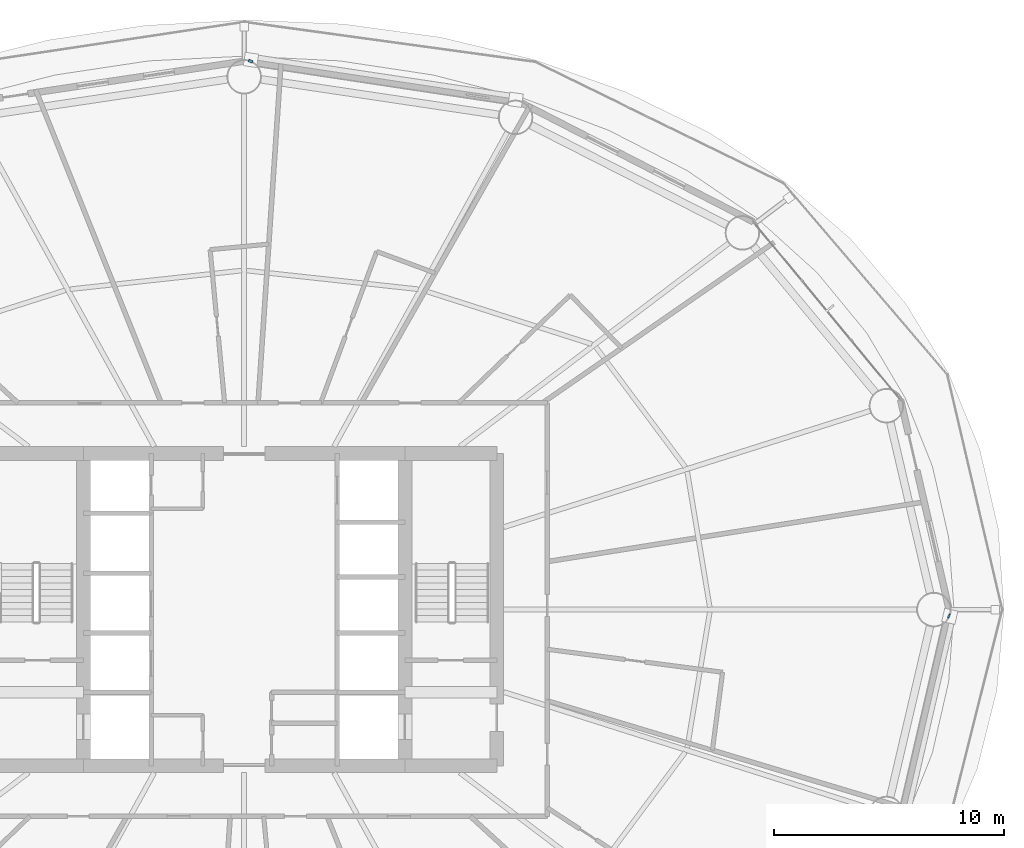
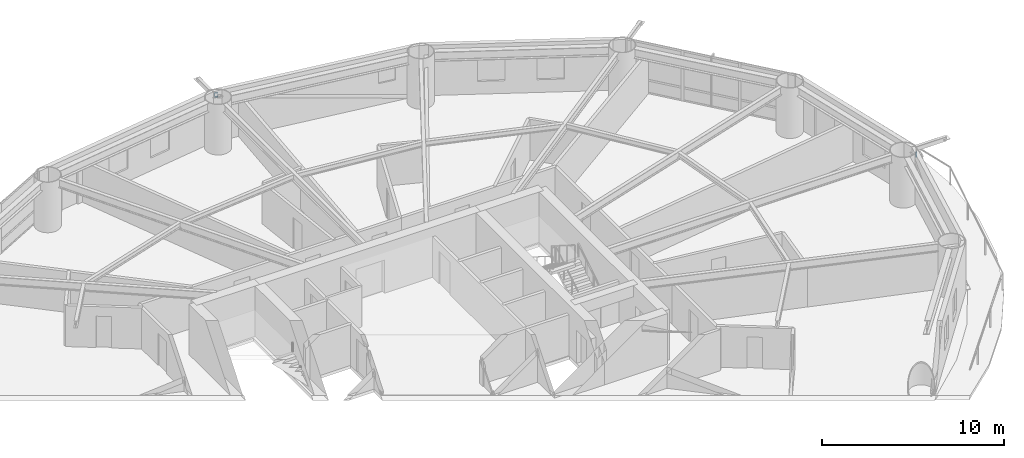
# One storey, part 17 of 28: 2 members.
"""IFC4 building model written with IfcOpenShell, lengths in metres."""

from ifc_helpers import new_model, si_unit, direction, frame, origin, origin_2d, place, context, subcontext, project, spatial, hollow_rectangle, extrude, material, material_profile, profile_set, type_object, element, save


model = new_model("IFC4")

# Units and contexts
model_context = context("Model", 3, precision=1e-05, world=origin(), true_north=direction((0.0, 1.0)))
body_context = subcontext(model_context, "Body", "Model", "MODEL_VIEW")
ifc_project = project(units=[si_unit("LENGTHUNIT", "METRE"), si_unit("AREAUNIT", "SQUARE_METRE"), si_unit("VOLUMEUNIT", "CUBIC_METRE"), si_unit("PLANEANGLEUNIT", "RADIAN"), si_unit("MASSUNIT", "GRAM", prefix="KILO")], contexts=[model_context])

# Site, building, storey
site_placement = place(None, origin())
site = spatial("IfcSite", under=ifc_project, at=site_placement, CompositionType="ELEMENT")
building_placement = place(site_placement, origin())
building = spatial("IfcBuilding", under=site, at=building_placement, Name="Sarneth Arch Tower", CompositionType="ELEMENT")
storey_placement = place(building_placement, frame((0.0, 0.0, 67.800048828125)))
storey = spatial("IfcBuildingStorey", under=building, at=storey_placement, Name="L16", CompositionType="ELEMENT", Elevation=67.800048828125)

# Members
ifc_material = material(Name="Steel S355", Category="steel")
ifc_material_profile = material_profile(ifc_material, hollow_rectangle(XDim=0.199951171875, YDim=0.300048828125, WallThickness=0.012451171875, InnerFilletRadius=0.018798828125, OuterFilletRadius=0.03125, at=origin_2d()), Name="RHS300x200x12.5")
ifc_profile_set = profile_set([ifc_material_profile], Name="Steel S355")
member_type = type_object("IfcMemberType", Name="MEM-CANT-STRUT", PredefinedType="STRUT", material=ifc_profile_set)
member_1_placement = place(storey_placement, frame((48.25244140625, 65.825927734375, 3.0068359375), z_axis=(0.374599922936, 0.927186549588, 0.0), x_axis=(-0.927186549588, 0.374599922936, 0.0)))
element("IfcMember", 1, at=member_1_placement, inside=storey, type_object=member_type, Name="L16 Exoskeleton brace node strut 04B", PredefinedType="STRUT", context=body_context, shape_type="SweptSolid", body=[
    extrude(hollow_rectangle(XDim=0.199951171875, YDim=0.300048828125, WallThickness=0.012451171875, InnerFilletRadius=0.018798828125, OuterFilletRadius=0.03125, at=origin_2d()), origin(), (0.0, 0.0, 1.0), 0.117919921875),
])
member_2_placement = place(storey_placement, frame((78.656494140625, 41.73681640625, 3.0068359375), z_axis=(0.921327592233, -0.388787175446, 0.0), x_axis=(0.388787175446, 0.921327592233, 0.0)))
element("IfcMember", 2, at=member_2_placement, inside=storey, type_object=member_type, Name="L16 Exoskeleton brace node strut 16B", PredefinedType="STRUT", context=body_context, shape_type="SweptSolid", body=[
    extrude(hollow_rectangle(XDim=0.199951171875, YDim=0.300048828125, WallThickness=0.012451171875, InnerFilletRadius=0.018798828125, OuterFilletRadius=0.03125, at=origin_2d()), origin(), (0.0, 0.0, 1.0), 0.07470703125),
])

save(model, "model.ifc")
